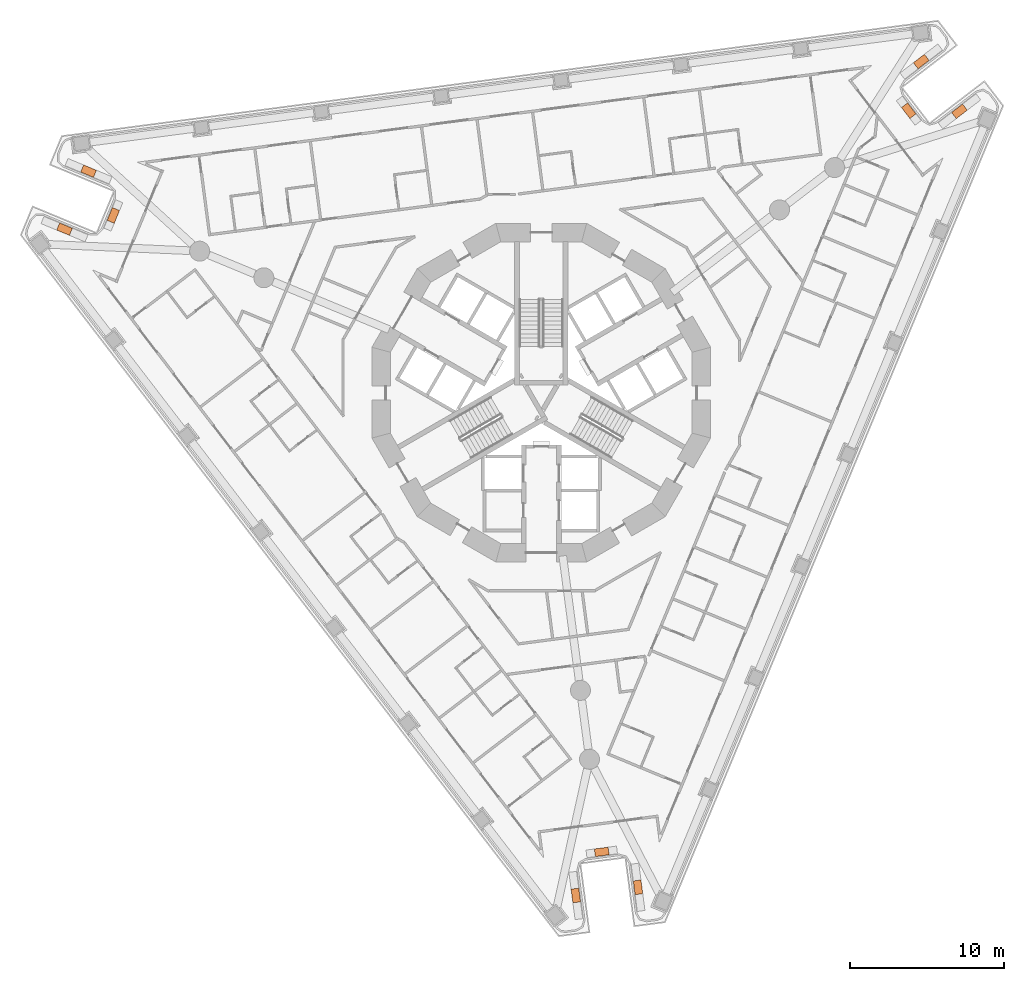
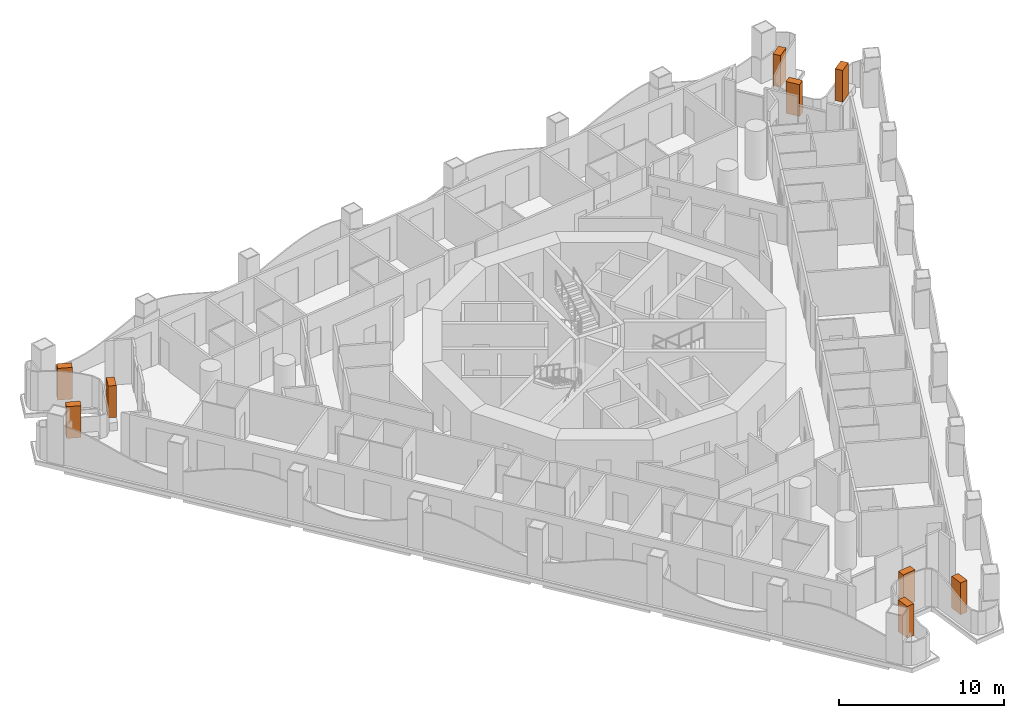
# One storey, part 19 of 19: 9 geographic elements.
"""IFC4 building model written with IfcOpenShell, lengths in metres."""

from ifc_helpers import new_model, si_unit, direction, frame, origin, origin_2d, place, context, subcontext, project, spatial, rectangle, extrude, element, save


model = new_model("IFC4")

# Units and contexts
model_context = context("Model", 3, precision=1e-05, world=origin(), true_north=direction((0.0, 1.0)))
body_context = subcontext(model_context, "Body", "Model", "MODEL_VIEW")
ifc_project = project(units=[si_unit("LENGTHUNIT", "METRE"), si_unit("AREAUNIT", "SQUARE_METRE"), si_unit("VOLUMEUNIT", "CUBIC_METRE"), si_unit("PLANEANGLEUNIT", "RADIAN"), si_unit("MASSUNIT", "GRAM", prefix="KILO")], contexts=[model_context])

# Site, building, storey
site_placement = place(None, origin())
site = spatial("IfcSite", under=ifc_project, at=site_placement, CompositionType="ELEMENT")
building_placement = place(site_placement, origin())
building = spatial("IfcBuilding", under=site, at=building_placement, Name="Trine Commons Tower", CompositionType="ELEMENT")
storey_placement = place(building_placement, frame((0.0, 0.0, 75.60009765625)))
storey = spatial("IfcBuildingStorey", under=building, at=storey_placement, Name="L18", CompositionType="ELEMENT", Elevation=75.60009765625)

# Geographic elements
for number, where, z_axis, x_axis, name in (
    (1, (49.005126953125, 73.13037109375, 0.599853515625), (0.0, 0.0, 1.0), (0.923885543575, -0.382668920052, 0.0), "Tree 1.1"),
    (2, (52.1787109375, 74.02392578125, 0.599853515625), (0.0, 0.0, 1.0), (0.382688269782, 0.923877528773, 0.0), "Tree 2.1"),
    (3, (50.56640625, 76.89990234375, 0.599853515625), (0.0, 0.0, 1.0), (-0.923885543575, 0.382668920052, 0.0), "Tree 3.1"),
    (4, (104.70361328125, 84.027099609375, 0.599853515625), (0.0, 0.0, 1.0), (-0.793358652707, -0.608754505672, 0.0), "Tree 4.1"),
    (5, (103.890625, 80.831787109375, 0.599853515625), (0.0, 0.0, 1.0), (0.608735120081, -0.793373527148, 0.0), "Tree 5.1"),
    (6, (107.187255859375, 80.790283203125, 0.599853515625), (0.0, 0.0, 1.0), (0.793358652707, 0.608754505672, 0.0), "Tree 6.1"),
    (7, (86.291259765625, 30.342529296875, 0.599853515625), (0.0, 0.0, 1.0), (-0.130517540226, 0.991446000392, 0.0), "Tree 7.1"),
    (8, (83.9306640625, 32.64404296875, 0.599853515625), (0.0, 0.0, 1.0), (-0.991442583111, -0.130543496177, 0.0), "Tree 8.1"),
    (9, (82.24609375, 29.81005859375, 0.599853515625), (0.0, 0.0, 1.0), (0.130546956964, -0.991442127422, 0.0), "Tree 9.1"),
):
    element("IfcGeographicElement", number, at=place(storey_placement, frame(where, z_axis=z_axis, x_axis=x_axis)), inside=storey, Name=name, ObjectType="TREE Tabebuia rosea", PredefinedType="USERDEFINED", context=body_context, shape_type="SweptSolid", body=[
        extrude(rectangle(XDim=0.89990234375, YDim=0.5, at=origin_2d()), origin(), (0.0, 0.0, 1.0), 2.35009765625),
    ])

save(model, "model.ifc")
